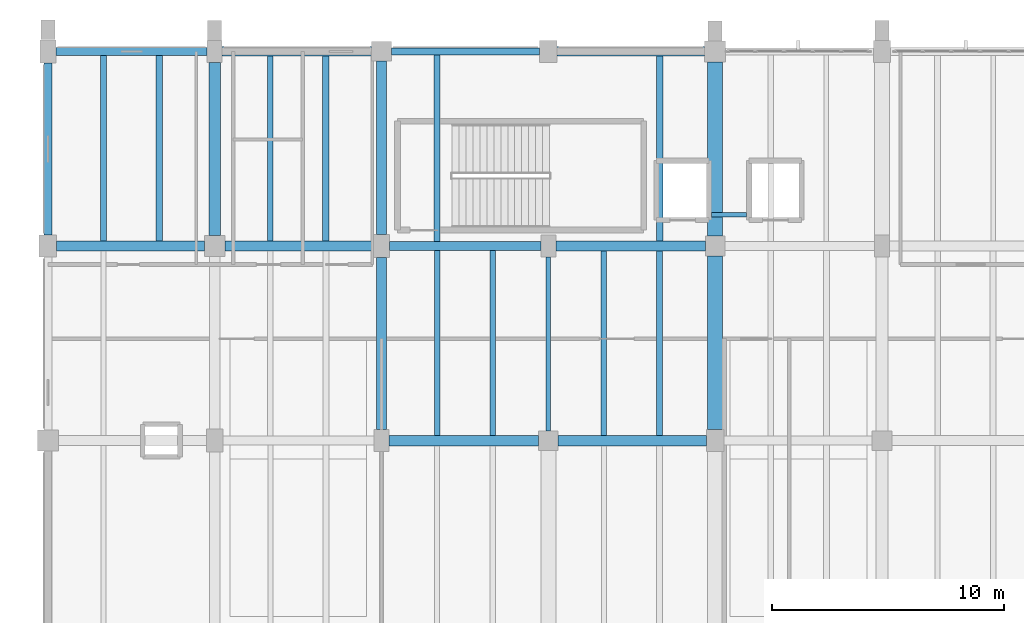
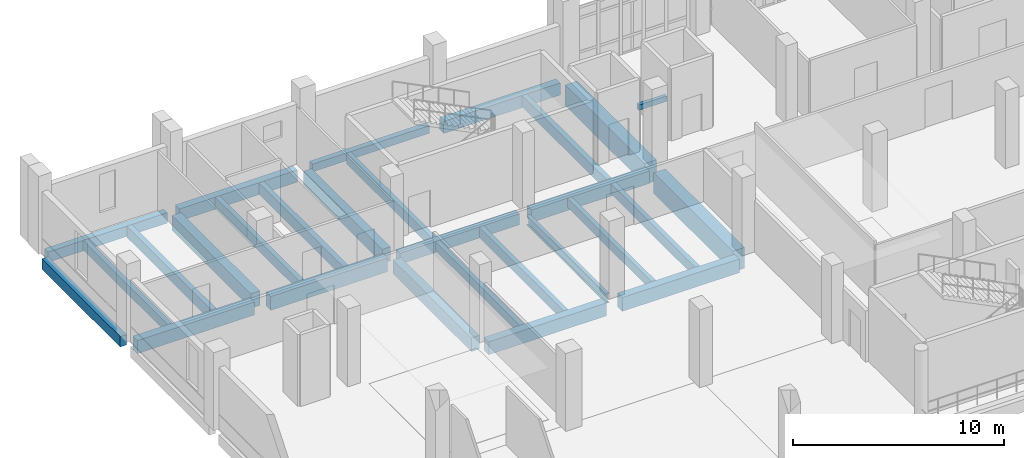
# One storey, part 54 of 134: 28 beams.
"""IFC4 building model written with IfcOpenShell, lengths in metres."""

from ifc_helpers import new_model, si_unit, direction, frame, origin, origin_2d, place, context, subcontext, project, spatial, rectangle, i_section, extrude, material, material_profile, profile_set, type_object, element, save


model = new_model("IFC4")

# Units and contexts
model_context = context("Model", 3, precision=1e-05, world=origin(), true_north=direction((0.0, 1.0)))
body_context = subcontext(model_context, "Body", "Model", "MODEL_VIEW")
ifc_project = project(units=[si_unit("LENGTHUNIT", "METRE"), si_unit("AREAUNIT", "SQUARE_METRE"), si_unit("VOLUMEUNIT", "CUBIC_METRE"), si_unit("PLANEANGLEUNIT", "RADIAN"), si_unit("MASSUNIT", "GRAM", prefix="KILO")], contexts=[model_context])

# Site, building, storey
site_placement = place(None, origin())
site = spatial("IfcSite", under=ifc_project, at=site_placement, CompositionType="ELEMENT")
building_placement = place(site_placement, origin())
building = spatial("IfcBuilding", under=site, at=building_placement, Name="Kalluvel Institute of Natural Sciences", CompositionType="ELEMENT")
storey_placement = place(building_placement, frame((0.0, 0.0, 5.39990234375)))
storey = spatial("IfcBuildingStorey", under=building, at=storey_placement, Name="L01", CompositionType="ELEMENT", Elevation=5.39990234375)

# Beams
ifc_material_1 = material(Name="Steel E350 Grade 350", Category="steel")
ifc_material_profile_1 = material_profile(ifc_material_1, i_section(OverallWidth=0.18994140625, OverallDepth=0.550048828125, WebThickness=0.01123046875, FlangeThickness=0.019287109375, FilletRadius=0.01806640625, at=origin_2d()), Name="ISMB 550")
ifc_profile_set_1 = profile_set([ifc_material_profile_1], Name="Steel E350 Grade 350")
beam_type_1 = type_object("IfcBeamType", Name="BM-ISMB550", PredefinedType="BEAM", material=ifc_profile_set_1)
beam_1_placement = place(storey_placement, frame((35.60009765625, 111.625, -0.594970703125), z_axis=(0.0, 1.0, 0.0), x_axis=(-1.0, 0.0, 0.0)))
element("IfcBeam", 1, at=beam_1_placement, inside=storey, type_object=beam_type_1, Name="L01 girder GIR-L01-NS-X356-Y1112", PredefinedType="BEAM", context=body_context, shape_type="SweptSolid", body=[
    extrude(i_section(OverallWidth=0.18994140625, OverallDepth=0.550048828125, WebThickness=0.01123046875, FlangeThickness=0.019287109375, FilletRadius=0.01806640625, at=origin_2d()), origin(), (0.0, 0.0, 1.0), 7.5),
])
ifc_material_2 = material(Name="Concrete M40", Category="concrete")
ifc_material_profile_2 = material_profile(ifc_material_2, rectangle(XDim=0.3798828125, YDim=0.639892578125, at=origin_2d()), Name="RCB 380x640")
ifc_profile_set_2 = profile_set([ifc_material_profile_2], Name="Concrete M40")
beam_type_2 = type_object("IfcBeamType", Name="BM-RC380x640", PredefinedType="BEAM", material=ifc_profile_set_2)
beam_2_placement = place(storey_placement, frame((28.75, 119.60009765625, -0.639892578125), z_axis=(1.0, 0.0, 0.0), x_axis=(0.0, 1.0, 0.0)))
element("IfcBeam", 2, at=beam_2_placement, inside=storey, type_object=beam_type_2, Name="L01 girder GIR-L01-EW-X284-Y1196", PredefinedType="BEAM", context=body_context, shape_type="SweptSolid", body=[
    extrude(rectangle(XDim=0.3798828125, YDim=0.639892578125, at=origin_2d()), origin(), (0.0, 0.0, 1.0), 6.52490234375),
])
ifc_material_profile_3 = material_profile(ifc_material_2, rectangle(XDim=0.419921875, YDim=0.719970703125, at=origin_2d()), Name="RCB 420x720")
ifc_profile_set_3 = profile_set([ifc_material_profile_3], Name="Concrete M40")
beam_type_3 = type_object("IfcBeamType", Name="BM-RC420x720", PredefinedType="BEAM", material=ifc_profile_set_3)
beam_3_placement = place(storey_placement, frame((35.925048828125, 119.60009765625, -0.679931640625), z_axis=(1.0, 0.0, 0.0), x_axis=(0.0, 1.0, 0.0)))
element("IfcBeam", 3, at=beam_3_placement, inside=storey, type_object=beam_type_3, Name="L01 girder GIR-L01-EW-X356-Y1196", PredefinedType="BEAM", context=body_context, shape_type="SweptSolid", body=[
    extrude(rectangle(XDim=0.419921875, YDim=0.719970703125, at=origin_2d()), origin(), (0.0, 0.0, 1.0), 6.449951171875),
])
ifc_material_profile_4 = material_profile(ifc_material_2, rectangle(XDim=0.449951171875, YDim=0.75, at=origin_2d()), Name="RCB 450x750")
ifc_profile_set_4 = profile_set([ifc_material_profile_4], Name="Concrete M40")
beam_type_4 = type_object("IfcBeamType", Name="BM-RC450x750", PredefinedType="BEAM", material=ifc_profile_set_4)
beam_4_placement = place(storey_placement, frame((28.72509765625, 111.199951171875, -0.69482421875), z_axis=(1.0, 0.0, 0.0), x_axis=(0.0, 1.0, 0.0)))
element("IfcBeam", 4, at=beam_4_placement, inside=storey, type_object=beam_type_4, Name="L01 girder GIR-L01-EW-X284-Y1112", PredefinedType="BEAM", context=body_context, shape_type="SweptSolid", body=[
    extrude(rectangle(XDim=0.449951171875, YDim=0.75, at=origin_2d()), origin(), (0.0, 0.0, 1.0), 6.449951171875),
])
beam_5_placement = place(storey_placement, frame((14.375, 119.60009765625, -0.69482421875), z_axis=(1.0, 0.0, 0.0), x_axis=(0.0, 1.0, 0.0)))
element("IfcBeam", 5, at=beam_5_placement, inside=storey, type_object=beam_type_4, Name="L01 girder GIR-L01-EW-X140-Y1196", PredefinedType="BEAM", context=body_context, shape_type="SweptSolid", body=[
    extrude(rectangle(XDim=0.449951171875, YDim=0.75, at=origin_2d()), origin(), (0.0, 0.0, 1.0), 6.375),
])
ifc_material_profile_5 = material_profile(ifc_material_2, rectangle(XDim=0.449951171875, YDim=0.800048828125, at=origin_2d()), Name="RCB 450x800")
ifc_profile_set_5 = profile_set([ifc_material_profile_5], Name="Concrete M40")
beam_type_5 = type_object("IfcBeamType", Name="BM-RC450x800", PredefinedType="BEAM", material=ifc_profile_set_5)
for number, where, z_axis, x_axis, name in (
    (6, (36.02490234375, 111.199951171875, -0.719970703125), (1.0, 0.0, 0.0), (0.0, 1.0, 0.0), "L01 girder GIR-L01-EW-X356-Y1112"),
    (7, (21.64990234375, 119.60009765625, -0.719970703125), (1.0, 0.0, 0.0), (0.0, 1.0, 0.0), "L01 girder GIR-L01-EW-X212-Y1196"),
):
    element("IfcBeam", number, at=place(storey_placement, frame(where, z_axis=z_axis, x_axis=x_axis)), inside=storey, type_object=beam_type_5, Name=name, PredefinedType="BEAM", context=body_context, shape_type="SweptSolid", body=[
        extrude(rectangle(XDim=0.449951171875, YDim=0.800048828125, at=origin_2d()), origin(), (0.0, 0.0, 1.0), 6.400146484375),
    ])
beam_6_placement = place(storey_placement, frame((28.39990234375, 111.675048828125, -0.719970703125), z_axis=(0.0, 1.0, 0.0), x_axis=(-1.0, 0.0, 0.0)))
element("IfcBeam", 8, at=beam_6_placement, inside=storey, type_object=beam_type_5, Name="L01 girder GIR-L01-NS-X284-Y1112", PredefinedType="BEAM", context=body_context, shape_type="SweptSolid", body=[
    extrude(rectangle(XDim=0.449951171875, YDim=0.800048828125, at=origin_2d()), origin(), (0.0, 0.0, 1.0), 7.425048828125),
])
beam_7_placement = place(storey_placement, frame((28.39990234375, 120.10009765625, -0.719970703125), z_axis=(0.0, 1.0, 0.0), x_axis=(-1.0, 0.0, 0.0)))
element("IfcBeam", 9, at=beam_7_placement, inside=storey, type_object=beam_type_5, Name="L01 girder GIR-L01-NS-X284-Y1196", PredefinedType="BEAM", context=body_context, shape_type="SweptSolid", body=[
    extrude(rectangle(XDim=0.449951171875, YDim=0.800048828125, at=origin_2d()), origin(), (0.0, 0.0, 1.0), 7.474853515625),
])
ifc_material_3 = material(Name="Concrete M50", Category="concrete")
ifc_material_profile_6 = material_profile(ifc_material_3, rectangle(XDim=0.5, YDim=0.85009765625, at=origin_2d()), Name="RCB 500x850")
ifc_profile_set_6 = profile_set([ifc_material_profile_6], Name="Concrete M50")
beam_type_6 = type_object("IfcBeamType", Name="BM-RC500x850", PredefinedType="BEAM", material=ifc_profile_set_6)
beam_8_placement = place(storey_placement, frame((21.199951171875, 120.050048828125, -0.744873046875), z_axis=(0.0, 1.0, 0.0), x_axis=(-1.0, 0.0, 0.0)))
element("IfcBeam", 10, at=beam_8_placement, inside=storey, type_object=beam_type_6, Name="L01 girder GIR-L01-NS-X212-Y1196", PredefinedType="BEAM", context=body_context, shape_type="SweptSolid", body=[
    extrude(rectangle(XDim=0.5, YDim=0.85009765625, at=origin_2d()), origin(), (0.0, 0.0, 1.0), 7.474853515625),
])
ifc_material_profile_7 = material_profile(ifc_material_3, rectangle(XDim=0.64990234375, YDim=1.199951171875, at=origin_2d()), Name="RCB 650x1200")
ifc_profile_set_7 = profile_set([ifc_material_profile_7], Name="Concrete M50")
beam_type_7 = type_object("IfcBeamType", Name="BM-RC650x1200", PredefinedType="BEAM", material=ifc_profile_set_7)
beam_9_placement = place(storey_placement, frame((42.800048828125, 111.675048828125, -0.919921875), z_axis=(0.0, 1.0, 0.0), x_axis=(-1.0, 0.0, 0.0)))
element("IfcBeam", 11, at=beam_9_placement, inside=storey, type_object=beam_type_7, Name="L01 girder GIR-L01-NS-X428-Y1112", PredefinedType="BEAM", context=body_context, shape_type="SweptSolid", body=[
    extrude(rectangle(XDim=0.64990234375, YDim=1.199951171875, at=origin_2d()), origin(), (0.0, 0.0, 1.0), 7.5),
])
beam_10_placement = place(storey_placement, frame((42.800048828125, 120.02490234375, -0.919921875), z_axis=(0.0, 1.0, 0.0), x_axis=(-1.0, 0.0, 0.0)))
element("IfcBeam", 12, at=beam_10_placement, inside=storey, type_object=beam_type_7, Name="L01 girder GIR-L01-NS-X428-Y1196", PredefinedType="BEAM", context=body_context, shape_type="SweptSolid", body=[
    extrude(rectangle(XDim=0.64990234375, YDim=1.199951171875, at=origin_2d()), origin(), (0.0, 0.0, 1.0), 7.525146484375),
])
ifc_material_4 = material(Name="Sadarahalli Granite Precast Concrete M45", Category="masonry")
ifc_material_profile_8 = material_profile(ifc_material_4, rectangle(XDim=0.199951171875, YDim=0.300048828125, at=origin_2d()), Name="LIN 200x300")
ifc_profile_set_8 = profile_set([ifc_material_profile_8], Name="Sadarahalli Granite Precast Concrete M45")
beam_type_8 = type_object("IfcBeamType", Name="LN-200x300-INT", PredefinedType="LINTEL", material=ifc_profile_set_8)
beam_11_placement = place(storey_placement, frame((42.639892578125, 120.949951171875, 2.35009765625), z_axis=(1.0, 0.0, 0.0), x_axis=(0.0, 1.0, 0.0)))
element("IfcBeam", 13, at=beam_11_placement, inside=storey, type_object=beam_type_8, Name="L01 lift-core coupling lintel A", PredefinedType="LINTEL", context=body_context, shape_type="SweptSolid", body=[
    extrude(rectangle(XDim=0.199951171875, YDim=0.300048828125, at=origin_2d()), origin(), (0.0, 0.0, 1.0), 1.52001953125),
])
ifc_material_profile_9 = material_profile(ifc_material_2, rectangle(XDim=0.300048828125, YDim=0.449951171875, at=origin_2d()), Name="RCB 300x450")
ifc_profile_set_9 = profile_set([ifc_material_profile_9], Name="Concrete M40")
beam_type_9 = type_object("IfcBeamType", Name="SP-RC300x450", PredefinedType="SPANDREL", material=ifc_profile_set_9)
beam_12_placement = place(storey_placement, frame((28.824951171875, 128.0, -0.544921875), z_axis=(1.0, 0.0, 0.0), x_axis=(0.0, 1.0, 0.0)))
element("IfcBeam", 14, at=beam_12_placement, inside=storey, type_object=beam_type_9, Name="L01 girder GIR-L01-EW-X284-Y1280", PredefinedType="SPANDREL", context=body_context, shape_type="SweptSolid", body=[
    extrude(rectangle(XDim=0.300048828125, YDim=0.449951171875, at=origin_2d()), origin(), (0.0, 0.0, 1.0), 6.400146484375),
])
ifc_material_profile_10 = material_profile(ifc_material_2, rectangle(XDim=0.35009765625, YDim=0.60009765625, at=origin_2d()), Name="RCB 350x600")
ifc_profile_set_10 = profile_set([ifc_material_profile_10], Name="Concrete M40")
beam_type_10 = type_object("IfcBeamType", Name="SP-RC350x600", PredefinedType="SPANDREL", material=ifc_profile_set_10)
beam_13_placement = place(storey_placement, frame((14.35009765625, 128.0, -0.619873046875), z_axis=(1.0, 0.0, 0.0), x_axis=(0.0, 1.0, 0.0)))
element("IfcBeam", 15, at=beam_13_placement, inside=storey, type_object=beam_type_10, Name="L01 girder GIR-L01-EW-X140-Y1280", PredefinedType="SPANDREL", context=body_context, shape_type="SweptSolid", body=[
    extrude(rectangle(XDim=0.35009765625, YDim=0.60009765625, at=origin_2d()), origin(), (0.0, 0.0, 1.0), 6.52490234375),
])
beam_14_placement = place(storey_placement, frame((14.0, 120.074951171875, -0.619873046875), z_axis=(0.0, 1.0, 0.0), x_axis=(-1.0, 0.0, 0.0)))
element("IfcBeam", 16, at=beam_14_placement, inside=storey, type_object=beam_type_10, Name="L01 girder GIR-L01-NS-X140-Y1196", PredefinedType="SPANDREL", context=body_context, shape_type="SweptSolid", body=[
    extrude(rectangle(XDim=0.35009765625, YDim=0.60009765625, at=origin_2d()), origin(), (0.0, 0.0, 1.0), 7.425048828125),
])
ifc_material_profile_11 = material_profile(ifc_material_2, rectangle(XDim=0.39990234375, YDim=0.699951171875, at=origin_2d()), Name="RCB 400x700")
ifc_profile_set_11 = profile_set([ifc_material_profile_11], Name="Concrete M40")
beam_type_11 = type_object("IfcBeamType", Name="SP-RC400x700", PredefinedType="SPANDREL", material=ifc_profile_set_11)
beam_15_placement = place(storey_placement, frame((21.52490234375, 128.0, -0.669921875), z_axis=(1.0, 0.0, 0.0), x_axis=(0.0, 1.0, 0.0)))
element("IfcBeam", 17, at=beam_15_placement, inside=storey, type_object=beam_type_11, Name="L01 girder GIR-L01-EW-X212-Y1280", PredefinedType="SPANDREL", context=body_context, shape_type="SweptSolid", body=[
    extrude(rectangle(XDim=0.39990234375, YDim=0.699951171875, at=origin_2d()), origin(), (0.0, 0.0, 1.0), 6.4501953125),
])
beam_16_placement = place(storey_placement, frame((35.97509765625, 128.0, -0.669921875), z_axis=(1.0, 0.0, 0.0), x_axis=(0.0, 1.0, 0.0)))
element("IfcBeam", 18, at=beam_16_placement, inside=storey, type_object=beam_type_11, Name="L01 girder GIR-L01-EW-X356-Y1280", PredefinedType="SPANDREL", context=body_context, shape_type="SweptSolid", body=[
    extrude(rectangle(XDim=0.39990234375, YDim=0.699951171875, at=origin_2d()), origin(), (0.0, 0.0, 1.0), 6.375),
])
ifc_material_profile_12 = material_profile(ifc_material_2, rectangle(XDim=0.239990234375, YDim=0.52001953125, at=origin_2d()), Name="WAF 240x520")
ifc_profile_set_12 = profile_set([ifc_material_profile_12], Name="Concrete M40")
beam_type_12 = type_object("IfcBeamType", Name="WJ-240x520", PredefinedType="JOIST", material=ifc_profile_set_12)
beam_17_placement = place(storey_placement, frame((30.800048828125, 111.425048828125, -0.579833984375), z_axis=(0.0, 1.0, 0.0), x_axis=(-1.0, 0.0, 0.0)))
element("IfcBeam", 19, at=beam_17_placement, inside=storey, type_object=beam_type_12, Name="L01 waffle joist RIB-L01-0080", PredefinedType="JOIST", context=body_context, shape_type="SweptSolid", body=[
    extrude(rectangle(XDim=0.239990234375, YDim=0.52001953125, at=origin_2d()), origin(), (0.0, 0.0, 1.0), 7.98486328125),
])
beam_18_placement = place(storey_placement, frame((38.0, 111.425048828125, -0.579833984375), z_axis=(0.0, 1.0, 0.0), x_axis=(-1.0, 0.0, 0.0)))
element("IfcBeam", 20, at=beam_18_placement, inside=storey, type_object=beam_type_12, Name="L01 waffle joist RIB-L01-0085", PredefinedType="JOIST", context=body_context, shape_type="SweptSolid", body=[
    extrude(rectangle(XDim=0.239990234375, YDim=0.52001953125, at=origin_2d()), origin(), (0.0, 0.0, 1.0), 7.96484375),
])
ifc_material_profile_13 = material_profile(ifc_material_2, rectangle(XDim=0.25, YDim=0.550048828125, at=origin_2d()), Name="WAF 250x550")
ifc_profile_set_13 = profile_set([ifc_material_profile_13], Name="Concrete M40")
beam_type_13 = type_object("IfcBeamType", Name="WJ-250x550", PredefinedType="JOIST", material=ifc_profile_set_13)
beam_19_placement = place(storey_placement, frame((16.39990234375, 119.824951171875, -0.594970703125), z_axis=(0.0, 1.0, 0.0), x_axis=(-1.0, 0.0, 0.0)))
element("IfcBeam", 21, at=beam_19_placement, inside=storey, type_object=beam_type_13, Name="L01 waffle joist RIB-L01-0070", PredefinedType="JOIST", context=body_context, shape_type="SweptSolid", body=[
    extrude(rectangle(XDim=0.25, YDim=0.550048828125, at=origin_2d()), origin(), (0.0, 0.0, 1.0), 8.0),
])
ifc_material_profile_14 = material_profile(ifc_material_2, rectangle(XDim=0.25, YDim=0.60009765625, at=origin_2d()), Name="WAF 250x600")
ifc_profile_set_14 = profile_set([ifc_material_profile_14], Name="Concrete M40")
beam_type_14 = type_object("IfcBeamType", Name="WJ-250x600", PredefinedType="JOIST", material=ifc_profile_set_14)
beam_20_placement = place(storey_placement, frame((23.60009765625, 119.824951171875, -0.619873046875), z_axis=(0.0, 1.0, 0.0), x_axis=(-1.0, 0.0, 0.0)))
element("IfcBeam", 22, at=beam_20_placement, inside=storey, type_object=beam_type_14, Name="L01 waffle joist RIB-L01-0076", PredefinedType="JOIST", context=body_context, shape_type="SweptSolid", body=[
    extrude(rectangle(XDim=0.25, YDim=0.60009765625, at=origin_2d()), origin(), (0.0, 0.0, 1.0), 7.97509765625),
])
beam_21_placement = place(storey_placement, frame((33.199951171875, 111.425048828125, -0.619873046875), z_axis=(0.0, 1.0, 0.0), x_axis=(-1.0, 0.0, 0.0)))
element("IfcBeam", 23, at=beam_21_placement, inside=storey, type_object=beam_type_14, Name="L01 waffle joist RIB-L01-0081", PredefinedType="JOIST", context=body_context, shape_type="SweptSolid", body=[
    extrude(rectangle(XDim=0.25, YDim=0.60009765625, at=origin_2d()), origin(), (0.0, 0.0, 1.0), 7.98486328125),
])
beam_22_placement = place(storey_placement, frame((30.800048828125, 119.7900390625, -0.619873046875), z_axis=(0.0, 1.0, 0.0), x_axis=(-1.0, 0.0, 0.0)))
element("IfcBeam", 24, at=beam_22_placement, inside=storey, type_object=beam_type_14, Name="L01 waffle joist RIB-L01-0082", PredefinedType="JOIST", context=body_context, shape_type="SweptSolid", body=[
    extrude(rectangle(XDim=0.25, YDim=0.60009765625, at=origin_2d()), origin(), (0.0, 0.0, 1.0), 8.06005859375),
])
beam_23_placement = place(storey_placement, frame((40.39990234375, 111.425048828125, -0.619873046875), z_axis=(0.0, 1.0, 0.0), x_axis=(-1.0, 0.0, 0.0)))
element("IfcBeam", 25, at=beam_23_placement, inside=storey, type_object=beam_type_14, Name="L01 waffle joist RIB-L01-0086", PredefinedType="JOIST", context=body_context, shape_type="SweptSolid", body=[
    extrude(rectangle(XDim=0.25, YDim=0.60009765625, at=origin_2d()), origin(), (0.0, 0.0, 1.0), 7.96484375),
])
ifc_material_profile_15 = material_profile(ifc_material_3, rectangle(XDim=0.280029296875, YDim=0.64990234375, at=origin_2d()), Name="WAF 280x650")
ifc_profile_set_15 = profile_set([ifc_material_profile_15], Name="Concrete M50")
beam_type_15 = type_object("IfcBeamType", Name="WJ-280x650", PredefinedType="JOIST", material=ifc_profile_set_15)
beam_24_placement = place(storey_placement, frame((18.800048828125, 119.824951171875, -0.64501953125), z_axis=(0.0, 1.0, 0.0), x_axis=(-1.0, 0.0, 0.0)))
element("IfcBeam", 26, at=beam_24_placement, inside=storey, type_object=beam_type_15, Name="L01 waffle joist RIB-L01-0071", PredefinedType="JOIST", context=body_context, shape_type="SweptSolid", body=[
    extrude(rectangle(XDim=0.280029296875, YDim=0.64990234375, at=origin_2d()), origin(), (0.0, 0.0, 1.0), 8.0),
])
beam_25_placement = place(storey_placement, frame((26.0, 119.824951171875, -0.64501953125), z_axis=(0.0, 1.0, 0.0), x_axis=(-1.0, 0.0, 0.0)))
element("IfcBeam", 27, at=beam_25_placement, inside=storey, type_object=beam_type_15, Name="L01 waffle joist RIB-L01-0077", PredefinedType="JOIST", context=body_context, shape_type="SweptSolid", body=[
    extrude(rectangle(XDim=0.280029296875, YDim=0.64990234375, at=origin_2d()), origin(), (0.0, 0.0, 1.0), 7.97509765625),
])
beam_26_placement = place(storey_placement, frame((40.39990234375, 119.81005859375, -0.64501953125), z_axis=(0.0, 1.0, 0.0), x_axis=(-1.0, 0.0, 0.0)))
element("IfcBeam", 28, at=beam_26_placement, inside=storey, type_object=beam_type_15, Name="L01 waffle joist RIB-L01-0087", PredefinedType="JOIST", context=body_context, shape_type="SweptSolid", body=[
    extrude(rectangle(XDim=0.280029296875, YDim=0.64990234375, at=origin_2d()), origin(), (0.0, 0.0, 1.0), 7.989990234375),
])

save(model, "model.ifc")
